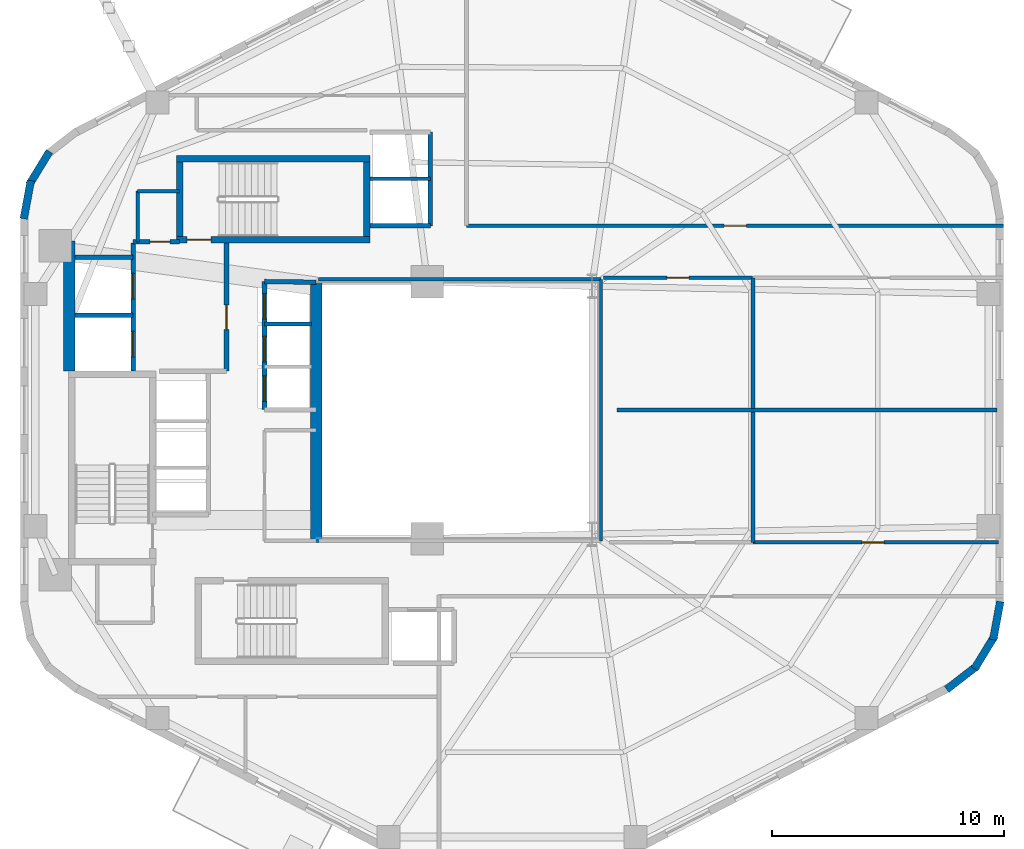
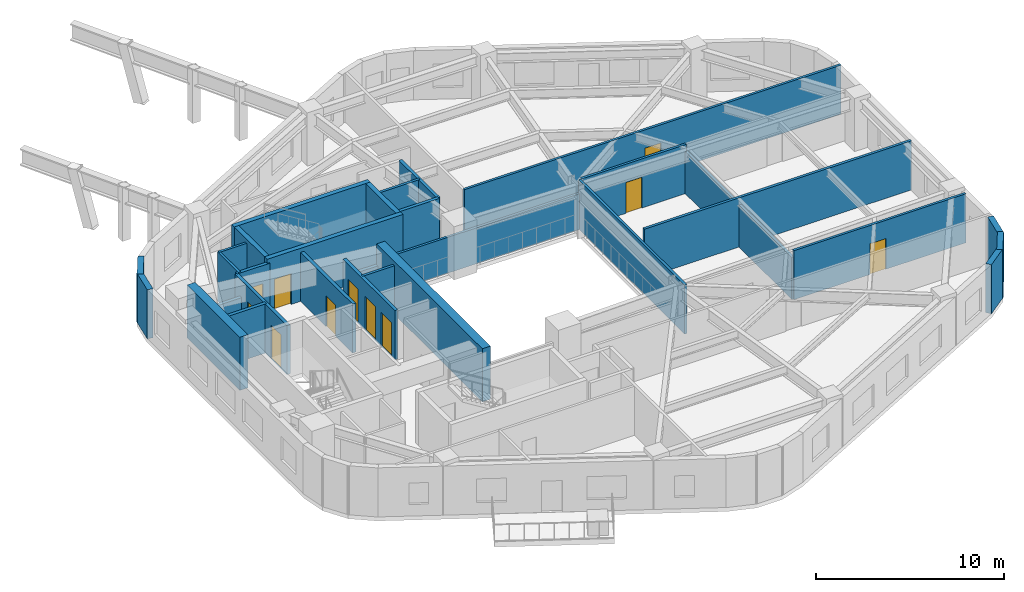
# One storey, part 4 of 8: 32 walls, 11 doors, 11 openings.
"""IFC4 building model written with IfcOpenShell, lengths in metres."""

from ifc_helpers import new_model, si_unit, direction, frame, frame_2d, origin, place, context, subcontext, project, spatial, rectangle, extrude, material, layer, layer_set, type_object, element, fill, save


model = new_model("IFC4")

# Units and contexts
model_context = context("Model", 3, precision=1e-05, world=origin(), true_north=direction((0.0, 1.0)))
body_context = subcontext(model_context, "Body", "Model", "MODEL_VIEW")
ifc_project = project(units=[si_unit("LENGTHUNIT", "METRE"), si_unit("AREAUNIT", "SQUARE_METRE"), si_unit("VOLUMEUNIT", "CUBIC_METRE"), si_unit("PLANEANGLEUNIT", "RADIAN"), si_unit("MASSUNIT", "GRAM", prefix="KILO"), si_unit("THERMODYNAMICTEMPERATUREUNIT", "KELVIN"), si_unit("POWERUNIT", "WATT")], contexts=[model_context])

# Site, building, storey
site_placement = place(None, origin())
site = spatial("IfcSite", under=ifc_project, at=site_placement, CompositionType="ELEMENT")
building_placement = place(site_placement, origin())
building = spatial("IfcBuilding", under=site, at=building_placement, Name="Skarre Station Tower", CompositionType="ELEMENT")
storey_placement = place(building_placement, frame((0.0, 0.0, 132.60009765625)))
storey = spatial("IfcBuildingStorey", under=building, at=storey_placement, Name="L35", CompositionType="ELEMENT", Elevation=132.60009765625)

# Walls
ifc_material_1 = material(Name="Acoustic Steel-Stud Gypsum Partition", Category="steel")
ifc_layer_1 = layer(ifc_material_1, 0.14990234375, Name="Acoustic Steel-Stud Gypsum Partition")
ifc_layer_set_1 = layer_set([ifc_layer_1], Name="Acoustic Steel-Stud Gypsum Partition")
wall_type_1 = type_object("IfcWallType", Name="Fire-Rated Corridor Acoustic Partition 150", PredefinedType="PARTITIONING", material=ifc_layer_set_1)
wall_1_placement = place(storey_placement, frame((19.85009765625, 33.449951171875, 0.0), z_axis=(0.0, 0.0, 1.0), x_axis=(0.0, -1.0, 0.0)))
element("IfcWall", 1, at=wall_1_placement, inside=storey, type_object=wall_type_1, Name="L35 Interior Partition WL-PT-L35-CNW-W", PredefinedType="PARTITIONING", context=body_context, shape_type="SweptSolid", body=[
    extrude(rectangle(XDim=2.18994140625, YDim=0.14990234375, at=frame_2d((1.094970703125, 0.0))), origin(), (0.0, 0.0, 1.0), 3.18994140625),
])
wall_2_placement = place(storey_placement, frame((21.659912109375, 33.449951171875, 0.0), z_axis=(0.0, 0.0, 1.0), x_axis=(-1.0, 0.0, 0.0)))
element("IfcWall", 2, at=wall_2_placement, inside=storey, type_object=wall_type_1, Name="L35 Interior Partition WL-PT-L35-CNW-N1", PredefinedType="PARTITIONING", context=body_context, shape_type="SweptSolid", body=[
    extrude(rectangle(XDim=1.809814453125, YDim=0.14990234375, at=frame_2d((0.90478515625, 0.0))), origin(), (0.0, 0.0, 1.0), 3.18994140625),
])
wall_3_placement = place(storey_placement, frame((39.840087890625, 29.639892578125, 0.0), z_axis=(0.0, 0.0, 1.0), x_axis=(-1.0, 0.0, 0.0)))
element("IfcWall", 3, at=wall_3_placement, inside=storey, type_object=wall_type_1, Name="L35 Interior Partition WL-PT-L35-ATRW-N", PredefinedType="PARTITIONING", context=body_context, shape_type="SweptSolid", body=[
    extrude(rectangle(XDim=12.2001953125, YDim=0.14990234375, at=frame_2d((6.10009765625, 0.0))), origin(), (0.0, 0.0, 1.0), 2.330810546875),
])
wall_4_placement = place(storey_placement, frame((39.840087890625, 18.360107421875, 0.0), z_axis=(0.0, 0.0, 1.0), x_axis=(0.0, 1.0, 0.0)))
element("IfcWall", 4, at=wall_4_placement, inside=storey, type_object=wall_type_1, Name="L35 Interior Partition WL-PT-L35-ATRW-E", PredefinedType="PARTITIONING", context=body_context, shape_type="SweptSolid", body=[
    extrude(rectangle(XDim=11.27978515625, YDim=0.14990234375, at=frame_2d((5.639892578125, 0.0))), origin(), (0.0, 0.0, 1.0), 3.18994140625),
])

# Wall, opening, door
wall_5_placement = place(storey_placement, frame((57.2080078125, 31.9599609375, 0.0), z_axis=(0.0, 0.0, 1.0), x_axis=(-1.0, 0.0, 0.0)))
wall_5 = element("IfcWall", 5, at=wall_5_placement, inside=storey, type_object=wall_type_1, Name="L35 Interior Partition WL-PT-L35-NW1-CW", PredefinedType="PARTITIONING", context=body_context, shape_type="SweptSolid", body=[
    extrude(rectangle(XDim=23.16796875, YDim=0.14990234375, at=frame_2d((11.583984375, 0.0))), origin(), (0.0, 0.0, 1.0), 3.18994140625),
])
opening_1_placement = place(wall_5_placement, frame((11.090087890625, 0.0, 0.0)))
opening_1 = element("IfcOpeningElement", 6, at=opening_1_placement, cuts=wall_5, Name="Opening DR-FD60", PredefinedType="OPENING", context=body_context, shape_type="SweptSolid", body=[
    extrude(rectangle(XDim=0.9599609375, YDim=2.0, at=frame_2d((0.47998046875, 1.0))), frame((0.0, 0.0849609375, 0.0), z_axis=(0.0, -1.0, 0.0), x_axis=(1.0, 0.0, 0.0)), (0.0, 0.0, 1.0), 0.169921875),
])
ifc_material_2 = material(Name="Nordic White-Oak Veneer Solid-Core Fire Leaf", Category="wood")
door_type_1 = type_object("IfcDoorType", Name="Corridor Suite Entry Fire Door FD60 960x2150", OperationType="SINGLE_SWING_LEFT", PredefinedType="DOOR", material=ifc_material_2)
door_1_placement = place(opening_1_placement, origin())
door_1 = element("IfcDoor", 7, at=door_1_placement, inside=storey, type_object=door_type_1, Name="L35 NW1 Entry Door", OperationType="SINGLE_SWING_LEFT", OverallHeight=2.0, OverallWidth=0.9599609375, PredefinedType="DOOR", context=body_context, shape_type="SweptSolid", body=[
    extrude(rectangle(XDim=0.9599609375, YDim=2.0, at=frame_2d((0.47998046875, 1.0))), frame((0.0, 0.02490234375, 0.0), z_axis=(0.0, -1.0, 0.0), x_axis=(1.0, 0.0, 0.0)), (0.0, 0.0, 1.0), 0.050048828125),
])
fill(opening_1, door_1)

wall_6_placement = place(storey_placement, frame((39.949951171875, 29.7099609375, 0.0), z_axis=(0.0, 0.0, 1.0), x_axis=(1.0, 0.0, 0.0)))
wall_6 = element("IfcWall", 8, at=wall_6_placement, inside=storey, type_object=wall_type_1, Name="L35 Interior Partition WL-PT-L35-EWN1-CW", PredefinedType="PARTITIONING", context=body_context, shape_type="SweptSolid", body=[
    extrude(rectangle(XDim=6.43310546875, YDim=0.14990234375, at=frame_2d((3.216552734375, 0.0))), origin(), (0.0, 0.0, 1.0), 3.18994140625),
])
opening_2_placement = place(wall_6_placement, frame((2.736083984375, 0.0, 0.0)))
opening_2 = element("IfcOpeningElement", 9, at=opening_2_placement, cuts=wall_6, Name="Opening DR-FD60", PredefinedType="OPENING", context=body_context, shape_type="SweptSolid", body=[
    extrude(rectangle(XDim=0.9599609375, YDim=2.0, at=frame_2d((0.47998046875, 1.0))), frame((0.0, 0.0849609375, 0.0), z_axis=(0.0, -1.0, 0.0), x_axis=(1.0, 0.0, 0.0)), (0.0, 0.0, 1.0), 0.169921875),
])
door_2_placement = place(opening_2_placement, origin())
door_2 = element("IfcDoor", 10, at=door_2_placement, inside=storey, type_object=door_type_1, Name="L35 EWN1 Entry Door", OperationType="SINGLE_SWING_LEFT", OverallHeight=2.0, OverallWidth=0.9599609375, PredefinedType="DOOR", context=body_context, shape_type="SweptSolid", body=[
    extrude(rectangle(XDim=0.9599609375, YDim=2.0, at=frame_2d((0.47998046875, 1.0))), frame((0.0, 0.02490234375, 0.0), z_axis=(0.0, -1.0, 0.0), x_axis=(1.0, 0.0, 0.0)), (0.0, 0.0, 1.0), 0.050048828125),
])
fill(opening_2, door_2)

wall_7_placement = place(storey_placement, frame((56.988037109375, 18.2900390625, 0.0), z_axis=(0.0, 0.0, 1.0), x_axis=(-1.0, 0.0, 0.0)))
wall_7 = element("IfcWall", 11, at=wall_7_placement, inside=storey, type_object=wall_type_1, Name="L35 Interior Partition WL-PT-L35-EWS2-CW", PredefinedType="PARTITIONING", context=body_context, shape_type="SweptSolid", body=[
    extrude(rectangle(XDim=10.5849609375, YDim=0.14990234375, at=frame_2d((5.29248046875, 0.0))), origin(), (0.0, 0.0, 1.0), 3.18994140625),
])
opening_3_placement = place(wall_7_placement, frame((4.931884765625, 0.0, 0.0)))
opening_3 = element("IfcOpeningElement", 12, at=opening_3_placement, cuts=wall_7, Name="Opening DR-FD60", PredefinedType="OPENING", context=body_context, shape_type="SweptSolid", body=[
    extrude(rectangle(XDim=0.9599609375, YDim=2.0, at=frame_2d((0.47998046875, 1.0))), frame((0.0, 0.0849609375, 0.0), z_axis=(0.0, -1.0, 0.0), x_axis=(1.0, 0.0, 0.0)), (0.0, 0.0, 1.0), 0.169921875),
])
door_3_placement = place(opening_3_placement, origin())
door_3 = element("IfcDoor", 13, at=door_3_placement, inside=storey, type_object=door_type_1, Name="L35 EWS2 Entry Door", OperationType="SINGLE_SWING_LEFT", OverallHeight=2.0, OverallWidth=0.9599609375, PredefinedType="DOOR", context=body_context, shape_type="SweptSolid", body=[
    extrude(rectangle(XDim=0.9599609375, YDim=2.0, at=frame_2d((0.47998046875, 1.0))), frame((0.0, 0.02490234375, 0.0), z_axis=(0.0, -1.0, 0.0), x_axis=(1.0, 0.0, 0.0)), (0.0, 0.0, 1.0), 0.050048828125),
])
fill(opening_3, door_3)

# Walls
ifc_material_3 = material(Name="Precast concrete C45/55", Category="concrete")
ifc_layer_2 = layer(ifc_material_3, 0.330078125, Name="Precast concrete C45/55")
ifc_layer_set_2 = layer_set([ifc_layer_2], Name="Precast concrete C45/55")
wall_type_2 = type_object("IfcWallType", Name="Nordic Rounded Corner Precast Wall 330", PredefinedType="STANDARD", material=ifc_layer_set_2)
wall_8_placement = place(storey_placement, frame((14.931884765625, 32.258056640625, 0.0), z_axis=(0.0, 0.0, 1.0), x_axis=(0.181984991895, 0.983301308209, 0.0)))
element("IfcWall", 14, at=wall_8_placement, inside=storey, type_object=wall_type_2, Name="L35 Rounded Corner Precast Wall F2-1", PredefinedType="STANDARD", context=body_context, shape_type="SweptSolid", body=[
    extrude(rectangle(XDim=1.677001953125, YDim=0.330078125, at=frame_2d((0.83837890625, 0.0))), origin(), (0.0, 0.0, 1.0), 3.18994140625),
])
wall_9_placement = place(storey_placement, frame((15.169921875, 33.73193359375, 0.0), z_axis=(0.0, 0.0, 1.0), x_axis=(0.520519429557, 0.853849824883, 0.0)))
element("IfcWall", 15, at=wall_9_placement, inside=storey, type_object=wall_type_2, Name="L35 Rounded Corner Precast Wall F2-2", PredefinedType="STANDARD", context=body_context, shape_type="SweptSolid", body=[
    extrude(rectangle(XDim=1.67724609375, YDim=0.330078125, at=frame_2d((0.838623046875, 0.0))), origin(), (0.0, 0.0, 1.0), 3.18994140625),
])
wall_10_placement = place(storey_placement, frame((57.068115234375, 15.741943359375, 0.0), z_axis=(0.0, 0.0, 1.0), x_axis=(-0.181984991895, -0.983301308209, 0.0)))
element("IfcWall", 16, at=wall_10_placement, inside=storey, type_object=wall_type_2, Name="L35 Rounded Corner Precast Wall F5-1", PredefinedType="STANDARD", context=body_context, shape_type="SweptSolid", body=[
    extrude(rectangle(XDim=1.677001953125, YDim=0.330078125, at=frame_2d((0.83837890625, 0.0))), origin(), (0.0, 0.0, 1.0), 3.18994140625),
])
wall_11_placement = place(storey_placement, frame((56.830078125, 14.26806640625, 0.0), z_axis=(0.0, 0.0, 1.0), x_axis=(-0.520519429557, -0.853849824883, 0.0)))
element("IfcWall", 17, at=wall_11_placement, inside=storey, type_object=wall_type_2, Name="L35 Rounded Corner Precast Wall F5-2", PredefinedType="STANDARD", context=body_context, shape_type="SweptSolid", body=[
    extrude(rectangle(XDim=1.67724609375, YDim=0.330078125, at=frame_2d((0.838623046875, 0.0))), origin(), (0.0, 0.0, 1.0), 3.18994140625),
])
wall_12_placement = place(storey_placement, frame((56.08203125, 12.97607421875, 0.0), z_axis=(0.0, 0.0, 1.0), x_axis=(-0.790621329885, -0.612305408053, 0.0)))
element("IfcWall", 18, at=wall_12_placement, inside=storey, type_object=wall_type_2, Name="L35 Rounded Corner Precast Wall F5-3", PredefinedType="STANDARD", context=body_context, shape_type="SweptSolid", body=[
    extrude(rectangle(XDim=1.67578125, YDim=0.330078125, at=frame_2d((0.837890625, 0.0))), origin(), (0.0, 0.0, 1.0), 3.18994140625),
])

# Wall, opening, door
ifc_material_4 = material(Name="Concrete C50/60", Category="concrete")
ifc_layer_3 = layer(ifc_material_4, 0.280029296875, Name="Concrete C50/60")
ifc_layer_set_3 = layer_set([ifc_layer_3], Name="Concrete C50/60")
wall_type_3 = type_object("IfcWallType", Name="RC Core Shear Wall 280", PredefinedType="SHEAR", material=ifc_layer_set_3)
wall_13_placement = place(storey_placement, frame((21.52001953125, 31.360107421875, 0.0), z_axis=(0.0, 0.0, 1.0), x_axis=(1.0, 0.0, 0.0)))
wall_13 = element("IfcWall", 19, at=wall_13_placement, inside=storey, type_object=wall_type_3, Name="L35 Stair ST-3 South Shear Wall", PredefinedType="SHEAR", context=body_context, shape_type="SweptSolid", body=[
    extrude(rectangle(XDim=8.35986328125, YDim=0.280029296875, at=frame_2d((4.179931640625, 0.0))), origin(), (0.0, 0.0, 1.0), 3.449951171875),
])
opening_4_placement = place(wall_13_placement, frame((0.449951171875, 0.0, 0.0)))
opening_4 = element("IfcOpeningElement", 20, at=opening_4_placement, cuts=wall_13, Name="Opening DR-FD90", PredefinedType="OPENING", context=body_context, shape_type="SweptSolid", body=[
    extrude(rectangle(XDim=1.050048828125, YDim=2.0, at=frame_2d((0.52490234375, 1.0))), frame((0.0, 0.14990234375, 0.0), z_axis=(0.0, -1.0, 0.0), x_axis=(1.0, 0.0, 0.0)), (0.0, 0.0, 1.0), 0.300048828125),
])
ifc_material_5 = material(Name="Fire-Rated Insulated Steel Frame & Timber Core Leaf", Category="steel")
door_type_2 = type_object("IfcDoorType", Name="Stair & FSAE Lobby Fire Door FD90 1050x2150", OperationType="SINGLE_SWING_RIGHT", PredefinedType="DOOR", material=ifc_material_5)
door_4_placement = place(opening_4_placement, origin())
door_4 = element("IfcDoor", 21, at=door_4_placement, inside=storey, type_object=door_type_2, Name="L35 Stair ST-3 & FSAE Lobby Direct Exit Door", OperationType="SINGLE_SWING_LEFT", OverallHeight=2.0, OverallWidth=1.050048828125, PredefinedType="DOOR", context=body_context, shape_type="SweptSolid", body=[
    extrude(rectangle(XDim=1.050048828125, YDim=2.0, at=frame_2d((0.52490234375, 1.0))), frame((0.0, 0.02490234375, 0.0), z_axis=(0.0, -1.0, 0.0), x_axis=(1.0, 0.0, 0.0)), (0.0, 0.0, 1.0), 0.050048828125),
])
fill(opening_4, door_4)

# Walls
wall_14_placement = place(storey_placement, frame((29.8798828125, 34.840087890625, 0.0), z_axis=(0.0, 0.0, 1.0), x_axis=(-1.0, 0.0, 0.0)))
element("IfcWall", 22, at=wall_14_placement, inside=storey, type_object=wall_type_3, Name="L35 Stair ST-3 North Shear Wall", PredefinedType="SHEAR", context=body_context, shape_type="SweptSolid", body=[
    extrude(rectangle(XDim=8.35986328125, YDim=0.280029296875, at=frame_2d((4.179931640625, 0.0))), origin(), (0.0, 0.0, 1.0), 3.449951171875),
])
for number, where, z_axis, x_axis, name in (
    (23, (21.659912109375, 34.699951171875, 0.0), (0.0, 0.0, 1.0), (0.0, -1.0, 0.0), "L35 Stair ST-3 West Shear Wall"),
    (24, (29.739990234375, 31.5, 0.0), (0.0, 0.0, 1.0), (0.0, 1.0, 0.0), "L35 Stair ST-3 East Shear Wall"),
):
    element("IfcWall", number, at=place(storey_placement, frame(where, z_axis=z_axis, x_axis=x_axis)), inside=storey, type_object=wall_type_3, Name=name, PredefinedType="SHEAR", context=body_context, shape_type="SweptSolid", body=[
        extrude(rectangle(XDim=3.199951171875, YDim=0.280029296875, at=frame_2d((1.60009765625, 0.0))), origin(), (0.0, 0.0, 1.0), 3.449951171875),
    ])
ifc_material_6 = material(Name="Concrete C70/85", Category="concrete")
ifc_layer_4 = layer(ifc_material_6, 0.5, Name="Concrete C70/85")
ifc_layer_set_4 = layer_set([ifc_layer_4], Name="Concrete C70/85")
wall_type_4 = type_object("IfcWallType", Name="RC Core Shear Wall 500", PredefinedType="SHEAR", material=ifc_layer_set_4)
wall_15_placement = place(storey_placement, frame((16.89990234375, 25.679931640625, 0.0), z_axis=(0.0, 0.0, 1.0), x_axis=(0.0, 1.0, 0.0)))
element("IfcWall", 25, at=wall_15_placement, inside=storey, type_object=wall_type_4, Name="L35 Core West-North Shear Wall", PredefinedType="SHEAR", context=body_context, shape_type="SweptSolid", body=[
    extrude(rectangle(XDim=5.6201171875, YDim=0.5, at=frame_2d((2.81005859375, 0.0))), origin(), (0.0, 0.0, 1.0), 3.449951171875),
])
wall_16_placement = place(storey_placement, frame((27.550048828125, 29.550048828125, 0.0), z_axis=(0.0, 0.0, 1.0), x_axis=(0.0, -1.0, 0.0)))
element("IfcWall", 26, at=wall_16_placement, inside=storey, type_object=wall_type_4, Name="L35 Core East Atrium Shear Wall", PredefinedType="SHEAR", context=body_context, shape_type="SweptSolid", body=[
    extrude(rectangle(XDim=11.25, YDim=0.5, at=frame_2d((5.625, 0.0))), origin(), (0.0, 0.0, 1.0), 3.449951171875),
])

# Wall, openings, doors
ifc_material_7 = material(Name="Gypsum Concrete Shaft Assembly C30/37", Category="concrete")
ifc_layer_5 = layer(ifc_material_7, 0.199951171875, Name="Gypsum Concrete Shaft Assembly C30/37")
ifc_layer_set_5 = layer_set([ifc_layer_5], Name="Gypsum Concrete Shaft Assembly C30/37")
wall_type_5 = type_object("IfcWallType", Name="Shaft & Core Fire Partition 200", PredefinedType="PARTITIONING", material=ifc_layer_set_5)
wall_17_placement = place(storey_placement, frame((19.64990234375, 25.679931640625, 0.0), z_axis=(0.0, 0.0, 1.0), x_axis=(0.0, 1.0, 0.0)))
wall_17 = element("IfcWall", 27, at=wall_17_placement, inside=storey, type_object=wall_type_5, Name="L35 Interior Partition WL-PT-L35-FSAE-W", PredefinedType="PARTITIONING", context=body_context, shape_type="SweptSolid", body=[
    extrude(rectangle(XDim=5.5400390625, YDim=0.199951171875, at=frame_2d((2.77001953125, 0.0))), origin(), (0.0, 0.0, 1.0), 3.18994140625),
])
opening_5_placement = place(wall_17_placement, frame((0.6201171875, 0.0, 0.0)))
opening_5 = element("IfcOpeningElement", 28, at=opening_5_placement, cuts=wall_17, Name="Opening LD-FF1", PredefinedType="OPENING", context=body_context, shape_type="SweptSolid", body=[
    extrude(rectangle(XDim=1.10009765625, YDim=2.199951171875, at=frame_2d((0.550048828125, 1.10009765625))), frame((0.0, 0.10986328125, 0.0), z_axis=(0.0, -1.0, 0.0), x_axis=(1.0, 0.0, 0.0)), (0.0, 0.0, 1.0), 0.219970703125),
])
opening_6_placement = place(wall_17_placement, frame((3.1201171875, 0.0, 0.0)))
opening_6 = element("IfcOpeningElement", 29, at=opening_6_placement, cuts=wall_17, Name="Opening LD-FF2", PredefinedType="OPENING", context=body_context, shape_type="SweptSolid", body=[
    extrude(rectangle(XDim=1.10009765625, YDim=2.199951171875, at=frame_2d((0.550048828125, 1.10009765625))), frame((0.0, 0.10986328125, 0.0), z_axis=(0.0, -1.0, 0.0), x_axis=(1.0, 0.0, 0.0)), (0.0, 0.0, 1.0), 0.219970703125),
])
ifc_material_8 = material(Name="Fire-Rated Stainless Steel Grade 316L Sliding Leaves", Category="steel")
door_type_3 = type_object("IfcDoorType", Name="Fire Service Access Elevator Sliding Landing Door 1100x2200", OperationType="SLIDING_TO_LEFT", PredefinedType="DOOR", material=ifc_material_8)
door_5_placement = place(opening_5_placement, origin())
door_5 = element("IfcDoor", 30, at=door_5_placement, inside=storey, type_object=door_type_3, Name="L35 Firefighting Lift LF-FF1 Landing Door", OperationType="SLIDING_TO_LEFT", OverallHeight=2.199951171875, OverallWidth=1.10009765625, PredefinedType="DOOR", context=body_context, shape_type="SweptSolid", body=[
    extrude(rectangle(XDim=1.10009765625, YDim=2.199951171875, at=frame_2d((0.550048828125, 1.10009765625))), frame((0.0, 0.02490234375, 0.0), z_axis=(0.0, -1.0, 0.0), x_axis=(1.0, 0.0, 0.0)), (0.0, 0.0, 1.0), 0.050048828125),
])
fill(opening_5, door_5)
door_6_placement = place(opening_6_placement, origin())
door_6 = element("IfcDoor", 31, at=door_6_placement, inside=storey, type_object=door_type_3, Name="L35 Firefighting Lift LF-FF2 Landing Door", OperationType="SLIDING_TO_LEFT", OverallHeight=2.199951171875, OverallWidth=1.10009765625, PredefinedType="DOOR", context=body_context, shape_type="SweptSolid", body=[
    extrude(rectangle(XDim=1.10009765625, YDim=2.199951171875, at=frame_2d((0.550048828125, 1.10009765625))), frame((0.0, 0.02490234375, 0.0), z_axis=(0.0, -1.0, 0.0), x_axis=(1.0, 0.0, 0.0)), (0.0, 0.0, 1.0), 0.050048828125),
])
fill(opening_6, door_6)

# Wall, opening, door
wall_18_placement = place(storey_placement, frame((23.679931640625, 25.679931640625, 0.0), z_axis=(0.0, 0.0, 1.0), x_axis=(0.0, 1.0, 0.0)))
wall_18 = element("IfcWall", 32, at=wall_18_placement, inside=storey, type_object=wall_type_5, Name="L35 Interior Partition WL-PT-L35-FSAE-E", PredefinedType="PARTITIONING", context=body_context, shape_type="SweptSolid", body=[
    extrude(rectangle(XDim=5.5400390625, YDim=0.199951171875, at=frame_2d((2.77001953125, 0.0))), origin(), (0.0, 0.0, 1.0), 3.18994140625),
])
opening_7_placement = place(wall_18_placement, frame((1.800048828125, 0.0, 0.0)))
opening_7 = element("IfcOpeningElement", 33, at=opening_7_placement, cuts=wall_18, Name="Opening DR-FD90", PredefinedType="OPENING", context=body_context, shape_type="SweptSolid", body=[
    extrude(rectangle(XDim=1.050048828125, YDim=2.0, at=frame_2d((0.52490234375, 1.0))), frame((0.0, 0.10986328125, 0.0), z_axis=(0.0, -1.0, 0.0), x_axis=(1.0, 0.0, 0.0)), (0.0, 0.0, 1.0), 0.219970703125),
])
door_7_placement = place(opening_7_placement, origin())
door_7 = element("IfcDoor", 34, at=door_7_placement, inside=storey, type_object=door_type_2, Name="L35 FSAE Lobby Fire Door", OperationType="SINGLE_SWING_RIGHT", OverallHeight=2.0, OverallWidth=1.050048828125, PredefinedType="DOOR", context=body_context, shape_type="SweptSolid", body=[
    extrude(rectangle(XDim=1.050048828125, YDim=2.0, at=frame_2d((0.52490234375, 1.0))), frame((0.0, 0.02490234375, 0.0), z_axis=(0.0, -1.0, 0.0), x_axis=(1.0, 0.0, 0.0)), (0.0, 0.0, 1.0), 0.050048828125),
])
fill(opening_7, door_7)

wall_19_placement = place(storey_placement, frame((21.659912109375, 31.260009765625, 0.0), z_axis=(0.0, 0.0, 1.0), x_axis=(-1.0, 0.0, 0.0)))
wall_19 = element("IfcWall", 35, at=wall_19_placement, inside=storey, type_object=wall_type_5, Name="L35 Interior Partition WL-PT-L35-FSAE-N", PredefinedType="PARTITIONING", context=body_context, shape_type="SweptSolid", body=[
    extrude(rectangle(XDim=2.010009765625, YDim=0.199951171875, at=frame_2d((1.0048828125, 0.0))), origin(), (0.0, 0.0, 1.0), 3.18994140625),
])
opening_8_placement = place(wall_19_placement, frame((0.419921875, 0.0, 0.0)))
opening_8 = element("IfcOpeningElement", 36, at=opening_8_placement, cuts=wall_19, Name="Opening DR-SVC86", PredefinedType="OPENING", context=body_context, shape_type="SweptSolid", body=[
    extrude(rectangle(XDim=0.860107421875, YDim=2.0, at=frame_2d((0.43017578125, 1.0))), frame((0.0, 0.10986328125, 0.0), z_axis=(0.0, -1.0, 0.0), x_axis=(1.0, 0.0, 0.0)), (0.0, 0.0, 1.0), 0.219970703125),
])
ifc_material_9 = material(Name="Powder-Coated Hollow-Metal Acoustic Fire Leaf", Category="steel")
door_type_4 = type_object("IfcDoorType", Name="Compact Riser Fire Door FD60 860x2100", OperationType="SINGLE_SWING_LEFT", PredefinedType="DOOR", material=ifc_material_9)
door_8_placement = place(opening_8_placement, origin())
door_8 = element("IfcDoor", 37, at=door_8_placement, inside=storey, type_object=door_type_4, Name="L35 Core Service Room Lobby Door", OperationType="SINGLE_SWING_LEFT", OverallHeight=2.0, OverallWidth=0.860107421875, PredefinedType="DOOR", context=body_context, shape_type="SweptSolid", body=[
    extrude(rectangle(XDim=0.860107421875, YDim=2.0, at=frame_2d((0.43017578125, 1.0))), frame((0.0, 0.02490234375, 0.0), z_axis=(0.0, -1.0, 0.0), x_axis=(1.0, 0.0, 0.0)), (0.0, 0.0, 1.0), 0.050048828125),
])
fill(opening_8, door_8)

# Walls
wall_20_placement = place(storey_placement, frame((17.14990234375, 28.10009765625, 0.0), z_axis=(0.0, 0.0, 1.0), x_axis=(1.0, 0.0, 0.0)))
element("IfcWall", 38, at=wall_20_placement, inside=storey, type_object=wall_type_5, Name="L35 Interior Partition WL-PT-L35-FF-DIV", PredefinedType="PARTITIONING", context=body_context, shape_type="SweptSolid", body=[
    extrude(rectangle(XDim=2.5, YDim=0.199951171875, at=frame_2d((1.25, 0.0))), origin(), (0.0, 0.0, 1.0), 3.18994140625),
])
wall_21_placement = place(storey_placement, frame((19.64990234375, 30.60009765625, 0.0), z_axis=(0.0, 0.0, 1.0), x_axis=(-1.0, 0.0, 0.0)))
element("IfcWall", 39, at=wall_21_placement, inside=storey, type_object=wall_type_5, Name="L35 Interior Partition WL-PT-L35-FF-N", PredefinedType="PARTITIONING", context=body_context, shape_type="SweptSolid", body=[
    extrude(rectangle(XDim=2.5, YDim=0.199951171875, at=frame_2d((1.25, 0.0))), origin(), (0.0, 0.0, 1.0), 2.08984375),
])
wall_22_placement = place(storey_placement, frame((32.47998046875, 31.949951171875, 0.0), z_axis=(0.0, 0.0, 1.0), x_axis=(0.0, 1.0, 0.0)))
element("IfcWall", 40, at=wall_22_placement, inside=storey, type_object=wall_type_5, Name="L35 Interior Partition WL-PT-L35-EX-E", PredefinedType="PARTITIONING", context=body_context, shape_type="SweptSolid", body=[
    extrude(rectangle(XDim=4.050048828125, YDim=0.199951171875, at=frame_2d((2.02490234375, 0.0))), origin(), (0.0, 0.0, 1.0), 3.18994140625),
])
wall_23_placement = place(storey_placement, frame((32.47998046875, 31.949951171875, 0.0), z_axis=(0.0, 0.0, 1.0), x_axis=(-1.0, 0.0, 0.0)))
element("IfcWall", 41, at=wall_23_placement, inside=storey, type_object=wall_type_5, Name="L35 Interior Partition WL-PT-L35-EX-S", PredefinedType="PARTITIONING", context=body_context, shape_type="SweptSolid", body=[
    extrude(rectangle(XDim=2.60009765625, YDim=0.199951171875, at=frame_2d((1.300048828125, 0.0))), origin(), (0.0, 0.0, 1.0), 3.18994140625),
])
wall_24_placement = place(storey_placement, frame((29.875, 33.97998046875, 0.0), z_axis=(0.0, 0.0, 1.0), x_axis=(1.0, 0.0, 0.0)))
element("IfcWall", 42, at=wall_24_placement, inside=storey, type_object=wall_type_5, Name="L35 Interior Partition WL-PT-L35-EX-DIV", PredefinedType="PARTITIONING", context=body_context, shape_type="SweptSolid", body=[
    extrude(rectangle(XDim=2.60498046875, YDim=0.159912109375, at=frame_2d((1.302490234375, 0.0))), origin(), (0.0, 0.0, 1.0), 3.18994140625),
])

# Wall, openings, doors
wall_25_placement = place(storey_placement, frame((25.320068359375, 29.550048828125, 0.0), z_axis=(0.0, 0.0, 1.0), x_axis=(0.0, -1.0, 0.0)))
wall_25 = element("IfcWall", 43, at=wall_25_placement, inside=storey, type_object=wall_type_5, Name="L35 Interior Partition WL-PT-L35-B2-W", PredefinedType="PARTITIONING", context=body_context, shape_type="SweptSolid", body=[
    extrude(rectangle(XDim=5.530029296875, YDim=0.199951171875, at=frame_2d((2.76513671875, 0.0))), origin(), (0.0, 0.0, 1.0), 3.18994140625),
])
opening_9_placement = place(wall_25_placement, frame((0.52001953125, 0.0, 0.0)))
opening_9 = element("IfcOpeningElement", 44, at=opening_9_placement, cuts=wall_25, Name="Opening LD-P6", PredefinedType="OPENING", context=body_context, shape_type="SweptSolid", body=[
    extrude(rectangle(XDim=1.10009765625, YDim=2.199951171875, at=frame_2d((0.550048828125, 1.10009765625))), frame((0.0, 0.10986328125, 0.0), z_axis=(0.0, -1.0, 0.0), x_axis=(1.0, 0.0, 0.0)), (0.0, 0.0, 1.0), 0.219970703125),
])
opening_10_placement = place(wall_25_placement, frame((2.3701171875, 0.0, 0.0)))
opening_10 = element("IfcOpeningElement", 45, at=opening_10_placement, cuts=wall_25, Name="Opening LD-P5", PredefinedType="OPENING", context=body_context, shape_type="SweptSolid", body=[
    extrude(rectangle(XDim=1.10009765625, YDim=2.199951171875, at=frame_2d((0.550048828125, 1.10009765625))), frame((0.0, 0.10986328125, 0.0), z_axis=(0.0, -1.0, 0.0), x_axis=(1.0, 0.0, 0.0)), (0.0, 0.0, 1.0), 0.219970703125),
])
opening_11_placement = place(wall_25_placement, frame((4.070068359375, 0.0, 0.0)))
opening_11 = element("IfcOpeningElement", 46, at=opening_11_placement, cuts=wall_25, Name="Opening LD-P4", PredefinedType="OPENING", context=body_context, shape_type="SweptSolid", body=[
    extrude(rectangle(XDim=1.10009765625, YDim=2.199951171875, at=frame_2d((0.550048828125, 1.10009765625))), frame((0.0, 0.10986328125, 0.0), z_axis=(0.0, -1.0, 0.0), x_axis=(1.0, 0.0, 0.0)), (0.0, 0.0, 1.0), 0.219970703125),
])
ifc_material_10 = material(Name="Brushed Bronze Stainless Steel Sliding Leaves", Category="steel")
door_type_5 = type_object("IfcDoorType", Name="Passenger Elevator Center-Parting Sliding Door 1100x2200", OperationType="SLIDING_TO_LEFT", PredefinedType="DOOR", material=ifc_material_10)
door_9_placement = place(opening_9_placement, origin())
door_9 = element("IfcDoor", 47, at=door_9_placement, inside=storey, type_object=door_type_5, Name="L35 Passenger Lift LF-P6 Landing Door", OperationType="SLIDING_TO_LEFT", OverallHeight=2.199951171875, OverallWidth=1.10009765625, PredefinedType="DOOR", context=body_context, shape_type="SweptSolid", body=[
    extrude(rectangle(XDim=1.10009765625, YDim=2.199951171875, at=frame_2d((0.550048828125, 1.10009765625))), frame((0.0, 0.02490234375, 0.0), z_axis=(0.0, -1.0, 0.0), x_axis=(1.0, 0.0, 0.0)), (0.0, 0.0, 1.0), 0.050048828125),
])
fill(opening_9, door_9)
door_10_placement = place(opening_10_placement, origin())
door_10 = element("IfcDoor", 48, at=door_10_placement, inside=storey, type_object=door_type_5, Name="L35 Passenger Lift LF-P5 Landing Door", OperationType="SLIDING_TO_LEFT", OverallHeight=2.199951171875, OverallWidth=1.10009765625, PredefinedType="DOOR", context=body_context, shape_type="SweptSolid", body=[
    extrude(rectangle(XDim=1.10009765625, YDim=2.199951171875, at=frame_2d((0.550048828125, 1.10009765625))), frame((0.0, 0.02490234375, 0.0), z_axis=(0.0, -1.0, 0.0), x_axis=(1.0, 0.0, 0.0)), (0.0, 0.0, 1.0), 0.050048828125),
])
fill(opening_10, door_10)
door_11_placement = place(opening_11_placement, origin())
door_11 = element("IfcDoor", 49, at=door_11_placement, inside=storey, type_object=door_type_5, Name="L35 Passenger Lift LF-P4 Landing Door", OperationType="SLIDING_TO_LEFT", OverallHeight=2.199951171875, OverallWidth=1.10009765625, PredefinedType="DOOR", context=body_context, shape_type="SweptSolid", body=[
    extrude(rectangle(XDim=1.10009765625, YDim=2.199951171875, at=frame_2d((0.550048828125, 1.10009765625))), frame((0.0, 0.02490234375, 0.0), z_axis=(0.0, -1.0, 0.0), x_axis=(1.0, 0.0, 0.0)), (0.0, 0.0, 1.0), 0.050048828125),
])
fill(opening_11, door_11)

# Walls
wall_26_placement = place(storey_placement, frame((27.550048828125, 29.52001953125, 0.0), z_axis=(0.0, 0.0, 1.0), x_axis=(-0.999909343457, 0.013464949556, 0.0)))
element("IfcWall", 50, at=wall_26_placement, inside=storey, type_object=wall_type_5, Name="L35 Interior Partition WL-PT-L35-B2-N", PredefinedType="PARTITIONING", context=body_context, shape_type="SweptSolid", body=[
    extrude(rectangle(XDim=2.230224609375, YDim=0.199951171875, at=frame_2d((1.115234375, 0.0))), origin(), (0.0, 0.0, 1.0), 2.08984375),
])
wall_27_placement = place(storey_placement, frame((25.320068359375, 27.719970703125, 0.0), z_axis=(0.0, 0.0, 1.0), x_axis=(1.0, 0.0, 0.0)))
element("IfcWall", 51, at=wall_27_placement, inside=storey, type_object=wall_type_5, Name="L35 Interior Partition WL-PT-L35-B2-D277", PredefinedType="PARTITIONING", context=body_context, shape_type="SweptSolid", body=[
    extrude(rectangle(XDim=2.030029296875, YDim=0.159912109375, at=frame_2d((1.01513671875, 0.0))), origin(), (0.0, 0.0, 1.0), 3.18994140625),
])
ifc_layer_6 = layer(ifc_material_1, 0.1650390625, Name="Acoustic Steel-Stud Gypsum Partition")
ifc_layer_set_6 = layer_set([ifc_layer_6], Name="Acoustic Steel-Stud Gypsum Partition")
wall_type_6 = type_object("IfcWallType", Name="Suite Demising Acoustic Partition 165", PredefinedType="PARTITIONING", material=ifc_layer_set_6)
wall_28_placement = place(storey_placement, frame((40.52001953125, 24.0, 0.0), z_axis=(0.0, 0.0, 1.0), x_axis=(1.0, 0.0, 0.0)))
element("IfcWall", 52, at=wall_28_placement, inside=storey, type_object=wall_type_6, Name="L35 Interior Partition WL-PT-L35-EW-Z2MID", PredefinedType="PARTITIONING", context=body_context, shape_type="SweptSolid", body=[
    extrude(rectangle(XDim=16.407958984375, YDim=0.1650390625, at=frame_2d((8.2041015625, 0.0))), origin(), (0.0, 0.0, 1.0), 3.18994140625),
])
for number, where, z_axis, x_axis, name in (
    (53, (46.39794921875, 24.070068359375, 0.0), (0.0, 0.0, 1.0), (0.0, 1.0, 0.0), "L35 Interior Partition WL-PT-L35-EWN-P1"),
    (54, (46.39794921875, 18.2900390625, 0.0), (0.0, 0.0, 1.0), (0.0, 1.0, 0.0), "L35 Interior Partition WL-PT-L35-EWS-P1"),
):
    element("IfcWall", number, at=place(storey_placement, frame(where, z_axis=z_axis, x_axis=x_axis)), inside=storey, type_object=wall_type_6, Name=name, PredefinedType="PARTITIONING", context=body_context, shape_type="SweptSolid", body=[
        extrude(rectangle(XDim=5.639892578125, YDim=0.1650390625, at=frame_2d((2.81982421875, 0.0))), origin(), (0.0, 0.0, 1.0), 2.73291015625),
    ])

save(model, "model.ifc")
